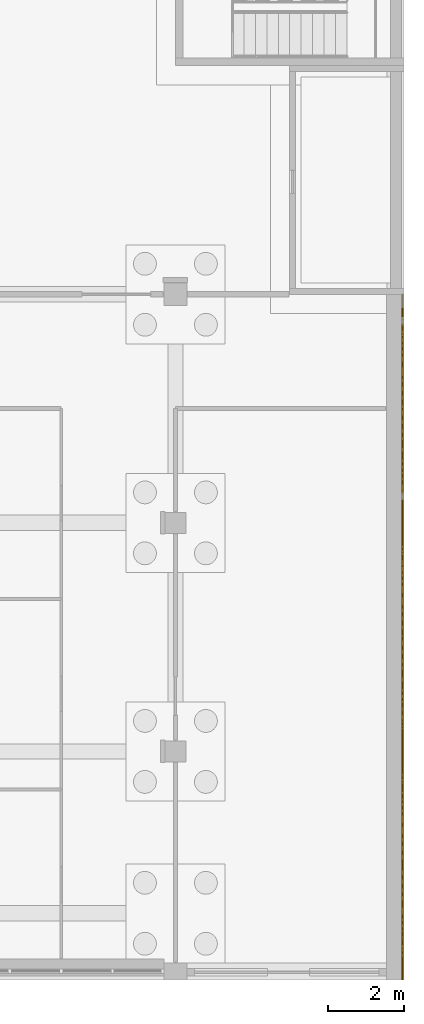
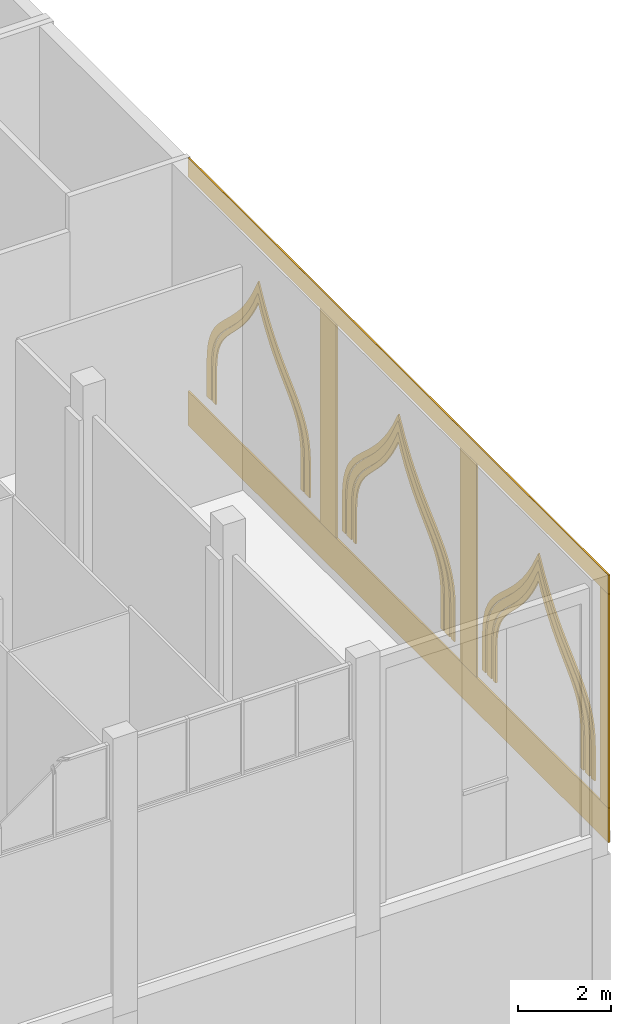
# One storey, part 72 of 95: 13 coverings.
"""IFC4 building model written with IfcOpenShell, lengths in metres."""

from ifc_helpers import new_model, si_unit, direction, frame, origin, origin_2d, place, context, subcontext, project, spatial, polyline, rectangle, outline, extrude, material, layer, layer_set, type_object, element, save


model = new_model("IFC4")

# Units and contexts
model_context = context("Model", 3, precision=1e-05, world=origin(), true_north=direction((0.0, 1.0)))
body_context = subcontext(model_context, "Body", "Model", "MODEL_VIEW")
ifc_project = project(units=[si_unit("LENGTHUNIT", "METRE"), si_unit("AREAUNIT", "SQUARE_METRE"), si_unit("VOLUMEUNIT", "CUBIC_METRE"), si_unit("PLANEANGLEUNIT", "RADIAN"), si_unit("MASSUNIT", "GRAM", prefix="KILO")], contexts=[model_context])

# Site, building, storey
site_placement = place(None, origin())
site = spatial("IfcSite", under=ifc_project, at=site_placement, CompositionType="ELEMENT")
building_placement = place(site_placement, origin())
building = spatial("IfcBuilding", under=site, at=building_placement, Name="Saffron Lane Theatres", CompositionType="ELEMENT")
storey_placement = place(building_placement, origin())
storey = spatial("IfcBuildingStorey", under=building, at=storey_placement, Name="L00", CompositionType="ELEMENT", Elevation=0.0)

# Coverings
ifc_material_1 = material(Name="Face brick cladding, pale buff", Category="masonry")
ifc_layer_1 = layer(ifc_material_1, 0.0400390625)
ifc_layer_set_1 = layer_set([ifc_layer_1], Name="Face brick cladding, pale buff")
covering_type_1 = type_object("IfcCoveringType", Name="EX-FACE BRICK SKIN PALE BUFF 40", PredefinedType="CLADDING", material=ifc_layer_set_1)
covering_1_placement = place(storey_placement, frame((65.9599609375, 9.0, 0.0), z_axis=(0.0, 0.0, 1.0), x_axis=(0.0, 1.0, 0.0)))
element("IfcCovering", 1, at=covering_1_placement, inside=storey, type_object=covering_type_1, Name="Face brick cladding, pale buff L00", PredefinedType="CLADDING", context=body_context, shape_type="SweptSolid", body=[
    extrude(rectangle(XDim=18.0, YDim=0.0400390625, at=origin_2d()), origin(), (0.0, 0.0, 1.0), 0.89990234375),
])
covering_2_placement = place(storey_placement, frame((65.9599609375, 9.0, 6.5), z_axis=(0.0, 0.0, 1.0), x_axis=(0.0, 1.0, 0.0)))
element("IfcCovering", 2, at=covering_2_placement, inside=storey, type_object=covering_type_1, Name="Face brick cladding, pale buff L00", PredefinedType="CLADDING", context=body_context, shape_type="SweptSolid", body=[
    extrude(rectangle(XDim=18.0, YDim=0.0400390625, at=origin_2d()), origin(), (0.0, 0.0, 1.0), 0.5),
])
covering_3_placement = place(storey_placement, frame((65.9599609375, 0.175048828125, 0.89990234375), z_axis=(0.0, 0.0, 1.0), x_axis=(0.0, 1.0, 0.0)))
element("IfcCovering", 3, at=covering_3_placement, inside=storey, type_object=covering_type_1, Name="Face brick cladding, pale buff L00", PredefinedType="CLADDING", context=body_context, shape_type="SweptSolid", body=[
    extrude(rectangle(XDim=0.35009765625, YDim=0.0400390625, at=origin_2d()), origin(), (0.0, 0.0, 1.0), 5.60009765625),
])
for number, where, z_axis, x_axis, name in (
    (4, (65.9599609375, 6.0, 0.89990234375), (0.0, 0.0, 1.0), (0.0, 1.0, 0.0), "Face brick cladding, pale buff L00"),
    (5, (65.9599609375, 12.0, 0.89990234375), (0.0, 0.0, 1.0), (0.0, 1.0, 0.0), "Face brick cladding, pale buff L00"),
):
    element("IfcCovering", number, at=place(storey_placement, frame(where, z_axis=z_axis, x_axis=x_axis)), inside=storey, type_object=covering_type_1, Name=name, PredefinedType="CLADDING", context=body_context, shape_type="SweptSolid", body=[
        extrude(rectangle(XDim=0.699951171875, YDim=0.0400390625, at=origin_2d()), origin(), (0.0, 0.0, 1.0), 5.60009765625),
    ])
ifc_material_2 = material(Name="Face brick cladding, pale buff", Category="masonry")
ifc_layer_2 = layer(ifc_material_2, 0.0400390625)
ifc_layer_set_2 = layer_set([ifc_layer_2], Name="Face brick cladding, pale buff")
covering_type_2 = type_object("IfcCoveringType", Name="EX-NICHE FRAME RING FACE BRICK PALE BUFF", PredefinedType="CLADDING", material=ifc_layer_set_2)
covering_4_placement = place(storey_placement, frame((65.93994140625, 1.06005859375, 2.15087890625), z_axis=(-1.0, 0.0, 0.0), x_axis=(0.0, 0.049137358924, 0.998792030384)))
element("IfcCovering", 6, at=covering_4_placement, inside=storey, type_object=covering_type_2, Name="Court wall niche ring", PredefinedType="CLADDING", context=body_context, shape_type="SweptSolid", body=[
    extrude(outline(polyline([(0.0, 0.0), (0.2434581525511307, 1.734723475976807e-18), (0.4610250809328312, 0.025228482865775993), (0.6554949729909108, 0.07285918867513211), (0.831185072962029, 0.14121310750547486), (0.9913772601130814, 0.227439986583571), (1.1415840143824045, 0.32931314243814785), (1.285586902883498, 0.4442021751554779), (1.4289223984057362, 0.5703680926853739), (1.57562791019868, 0.7054123443991328), (1.7306682446519874, 0.8459130111238047), (1.900199526656824, 0.992789410774137), (2.088650885479687, 1.141668234186046), (2.2994481574936954, 1.292625377112813), (2.53905521262832, 1.4428984789600046), (2.8117892951202217, 1.5908085298050278), (3.2277655948053288, 1.7834919337608668), (2.832711061224793, 2.0160754489918227), (2.575812260417544, 2.190041736063411), (2.3521124655206838, 2.363108046396087), (2.1571504751913277, 2.5340272413859313), (1.9842224909896318, 2.700684767416518), (1.8299266693935141, 2.8634924201556524), (1.6894260026688424, 3.01853275460896), (1.5566843301796374, 3.1673249099671215), (1.4264249384727563, 3.3069508169289725), (1.2943944826393017, 3.4354198033334438), (1.154912532783675, 3.5515447127042084), (1.0039575932820033, 3.6530790307441348), (0.8358252413876509, 3.738347909555811), (0.6470176621743866, 3.805812379122698), (0.43292969719310215, 3.851299152314359), (0.19064719434280172, 3.875196031947562), (-0.7091434775604517, 3.9194628421114768), (-0.7150337224901218, 3.7997345982349193), (0.18183080088661707, 3.7556117451772284), (0.4141156296046592, 3.732206718990291), (0.6141445183530868, 3.689122658452513), (0.788377419861202, 3.628486113605838), (0.9426666311820339, 3.5500091702378174), (1.0822528764921697, 3.4558783605179877), (1.213987828537848, 3.3462454759529123), (1.3401620701181043, 3.2229533143972655), (1.4676512668302135, 3.0866413587786963), (1.6004409250214928, 2.938824586262706), (1.7427963860263584, 2.781737514720906), (1.89894700190267, 2.6168831248932793), (2.075816423949777, 2.4458762825496456), (2.2764387685238634, 2.2707676419786673), (2.505982781248404, 2.0922806610866234), (2.7685419363003834, 1.914124928433901), (2.970020678761497, 1.7961721555341075), (2.7579370961418737, 1.698565320313989), (2.4791587737886442, 1.5470416523127277), (2.2332516366566293, 1.392923084024274), (2.0163621390792184, 1.2373769410990973), (1.8235614639433089, 1.0845566798417767), (1.6519834448499797, 0.9358254859112508), (1.49489637330818, 0.7934700249063853), (1.3482388472173108, 0.659401156034798), (1.20798545375333, 0.5362612756357352), (1.0703186365261823, 0.4259492464912962), (0.9284587013427412, 0.3297763513581751), (0.7803070082122705, 0.24980132375038333), (0.6190598700906065, 0.1868477550035296), (0.4397164913115353, 0.14360602715893486), (0.2364245748220277, 0.12036405442904742), (0.0029640964031553557, 0.11987220098278169), (-0.8939004269735834, 0.16399505404047265), (-0.8997906719032535, 0.04426681016391508), (0.0, 0.0)])), origin(), (0.0, 0.0, -1.0), 0.0400390625),
])
covering_5_placement = place(storey_placement, frame((65.93994140625, 0.800048828125, 2.153076171875), z_axis=(-1.0, 0.0, 0.0), x_axis=(0.0, 0.052850824381, 0.998602418564)))
element("IfcCovering", 7, at=covering_5_placement, inside=storey, type_object=covering_type_2, Name="Court wall niche ring", PredefinedType="CLADDING", context=body_context, shape_type="SweptSolid", body=[
    extrude(outline(polyline([(0.0, 0.0), (0.2633074467244505, 0.0), (0.5011775819661587, 0.027505871452212175), (0.7152524864888075, 0.08120829603058993), (0.9086112315010562, 0.15923293837212052), (1.0849739652342758, 0.25796015808373945), (1.24951072939811, 0.37344909715401087), (1.4064937862275997, 0.5032733062162519), (1.5611318865322767, 0.6442233255148111), (1.7204048922183166, 0.7942183711539379), (1.8878923763648647, 0.9516021011226223), (2.0695861001704214, 1.1141015442397035), (2.2717345272853784, 1.2796746257093192), (2.4978785216889916, 1.4459336052646752), (2.752894071753157, 1.6126204222398495), (3.0451722237624352, 1.7766016768649358), (3.545308055566688, 2.0153953976478385), (3.073236321181458, 2.3068654123085715), (2.7998353068843773, 2.499562707087641), (2.5638388278986666, 2.692236233121165), (2.35650745604077, 2.8814368058769912), (2.1729652029387934, 3.067422486021041), (2.009438950014148, 3.2481926242854025), (1.8594995911502994, 3.4223761036056124), (1.7169489166160081, 3.5883451044653136), (1.5780525169325759, 3.74483037585238), (1.4356498877276818, 3.8904995098022344), (1.2842226053926875, 4.022710780024254), (1.1192661530932222, 4.139502246350416), (0.9352233981207594, 4.237500784234314), (0.728012907311637, 4.313499650348356), (0.49437496699105044, 4.365959988195231), (0.2325384660623556, 4.393753121915035), (-0.669275583319717, 4.441481442077317), (-0.6798431675892249, 4.241809718248197), (0.21587589632797843, 4.194403973918317), (0.4619170471811973, 4.168424735037138), (0.6716252935936389, 4.121142588184094), (0.8534188461304864, 4.0545568244130665), (1.014149894578986, 3.968793757628952), (1.1607222408595677, 3.8649548994110297), (1.297666207873195, 3.7454897887645124), (1.4317178581074486, 3.608330544826945), (1.5667277283406915, 3.456940613377808), (1.7073925226927051, 3.292293833877449), (1.8601542503133226, 3.116005122808928), (2.0275541296548605, 2.929895845188042), (2.2176001906450886, 2.737453894646832), (2.432615658384322, 2.5410011380715813), (2.6794527226598053, 2.340663889367188), (2.9621799136019056, 2.1394050924426464), (3.127923450932433, 2.0374853906507657), (2.9523478022302756, 1.9536299354734281), (2.6499563885449153, 1.7833384184595322), (2.3833518772598032, 1.6101749578767302), (2.1488012171102713, 1.4375153946994919), (1.9395038304422583, 1.2662086126972976), (1.7533945528213721, 1.09880873335576), (1.5829298635185025, 0.9406046421122496), (1.4256201562145168, 0.7907501716253487), (1.275384706691873, 0.6544567891326514), (1.1276558411637512, 0.5331886493597573), (0.9788152774511176, 0.42787069606189243), (0.8221011469997994, 0.3400832112643215), (0.6532153815081632, 0.2717650454965378), (0.4654090154553319, 0.22474028020240072), (0.25188147118724413, 0.1998577991513908), (0.004472598804638406, 0.19999429966152327), (-0.8912464651125649, 0.2474000439914031), (-0.9018140493820727, 0.047728320162282394), (0.0, 0.0)])), origin(), (0.0, 0.0, -1.0), 0.0400390625),
])
covering_6_placement = place(storey_placement, frame((65.93994140625, 0.60009765625, 2.152099609375), z_axis=(-1.0, 0.0, 0.0), x_axis=(0.0, 0.053339022878, 0.998576461088)))
element("IfcCovering", 8, at=covering_6_placement, inside=storey, type_object=covering_type_2, Name="Court wall niche ring", PredefinedType="CLADDING", context=body_context, shape_type="SweptSolid", body=[
    extrude(outline(polyline([(0.0, 0.0), (0.279206054433033, -1.734723475976807e-18), (0.5302189974084848, 0.030600087807743755), (0.7546412027165392, 0.08975876321599356), (0.957718918144801, 0.17499539960045762), (1.143645085821301, 0.28241870073845177), (1.3166126478740696, 0.4081373704072918), (1.483434788357691, 0.5515429932989544), (1.6489446730874813, 0.7069986549543668), (1.820160212532198, 0.8731515385991627), (1.9996980194744525, 1.048639434380536), (2.1966399198910627, 1.229554394709478), (2.4138853863131065, 1.4152525667547606), (2.6580522694594353, 1.6014686389885575), (2.935479189444375, 1.7878640336289293), (3.2496146869296125, 1.9703427280390193), (3.720787085433957, 2.204577498130685), (3.2772478428247567, 2.487671646600571), (2.9843385678225935, 2.7025756747424743), (2.728346225878845, 2.9174636919552195), (2.5054576541051206, 3.1296055145986967), (2.3091779657185065, 3.336414203479002), (2.132628865552507, 3.537279208497558), (1.972806703296986, 3.73089403783503), (1.8202650307484223, 3.91434043280346), (1.6723091017899112, 4.087517844767732), (1.52166056150505, 4.2469032288758095), (1.3630695329622904, 4.390332120984516), (1.189696787662284, 4.517925350239234), (0.9968024501369451, 4.623334903447199), (0.7799591782553628, 4.706063801367329), (0.5336342353375227, 4.763229222834873), (0.25601689203512473, 4.792971978755942), (-0.6447985434431664, 4.8410890904583725), (-0.6522602768681983, 4.701395654861875), (0.24441067622764878, 4.653499920939942), (0.5103780405162042, 4.625357404018502), (0.7388185620849336, 4.572081143983088), (0.9381774723673122, 4.4961539022485475), (1.1141401455679993, 4.398738926188011), (1.274163618572807, 4.282127273024531), (1.4241379920005675, 4.146737788664895), (1.5679899995971691, 3.992849703713629), (1.7132417893603356, 3.8239730408003876), (1.8648603784731472, 3.6415539070467675), (2.026567774267319, 3.4466159345236367), (2.2048718857481466, 3.2419898555062194), (2.4069729344977393, 3.029735956358632), (2.635747977746354, 2.8133678888544744), (2.8973178869717606, 2.59304768359683), (3.197946778097935, 2.371619095083306), (3.4372557318585164, 2.2197223427612474), (3.1831274890269294, 2.0941825685408717), (2.8606212642985676, 1.9060387804363907), (2.577069843691915, 1.7148362644254675), (2.3265476890649355, 1.5240698861248223), (2.102986017829387, 1.3345527872566518), (1.903898439426481, 1.1500851084869645), (1.7223451767217532, 0.9734824250780479), (1.5521568984918466, 0.808252624869004), (1.3897418196288687, 0.6558100066021677), (1.2303152340630905, 0.5181215662944257), (1.0667717049130208, 0.3994786599183697), (0.8952365873223002, 0.3005772291947563), (0.7098979140063897, 0.22246118670472007), (0.5035851369718871, 0.16820292301425147), (0.2707691486827202, 0.13956470772606377), (0.003317251042587765, 0.13991481337699654), (-0.8933537020532594, 0.18781054729892882), (-0.9008154354782912, 0.04811711170243062), (0.0, 0.0)])), origin(), (0.0, 0.0, -1.0), 0.0400390625),
])
covering_7_placement = place(storey_placement, frame((65.93994140625, 7.06005859375, 2.15087890625), z_axis=(-1.0, 0.0, 0.0), x_axis=(0.0, 0.049137358924, 0.998792030384)))
element("IfcCovering", 9, at=covering_7_placement, inside=storey, type_object=covering_type_2, Name="Court wall niche ring", PredefinedType="CLADDING", context=body_context, shape_type="SweptSolid", body=[
    extrude(outline(polyline([(0.0, 0.0), (0.2434581525511307, 1.734723475976807e-18), (0.4609770952307565, 0.02425310002360444), (0.6554949729909108, 0.07285918867513211), (0.8311370872599544, 0.1402377246633033), (0.9913772601130814, 0.227439986583571), (1.1415840143824045, 0.32931314243814785), (1.285586902883498, 0.4442021751554779), (1.4289223984057362, 0.5703680926853739), (1.57562791019868, 0.7054123443991328), (1.7306682446519874, 0.8459130111238047), (1.900199526656824, 0.992789410774137), (2.088650885479687, 1.141668234186046), (2.2994481574936954, 1.292625377112813), (2.53905521262832, 1.4428984789600046), (2.8117892951202217, 1.5908085298050278), (3.2277655948053288, 1.7834919337608668), (2.832711061224793, 2.0160754489918227), (2.575812260417544, 2.190041736063411), (2.3521124655206838, 2.363108046396087), (2.1571504751913277, 2.5340272413859313), (1.9842224909896318, 2.700684767416518), (1.8299266693935141, 2.8634924201556524), (1.6894260026688424, 3.01853275460896), (1.5566843301796374, 3.1673249099671215), (1.4264249384727563, 3.3069508169289725), (1.2943944826393017, 3.4354198033334438), (1.154912532783675, 3.5515447127042084), (1.0039575932820033, 3.6530790307441348), (0.8358252413876509, 3.738347909555811), (0.6470176621743866, 3.805812379122698), (0.43292969719310215, 3.851299152314359), (0.19064719434280172, 3.875196031947562), (-0.7091434775604517, 3.9194628421114768), (-0.7150337224901218, 3.7997345982349193), (0.18183080088661707, 3.7556117451772284), (0.4141156296046592, 3.732206718990291), (0.6141445183530868, 3.689122658452513), (0.788377419861202, 3.628486113605838), (0.9426666311820339, 3.5500091702378174), (1.0822528764921697, 3.4558783605179877), (1.213987828537848, 3.3462454759529123), (1.3401620701181043, 3.2229533143972655), (1.4676512668302135, 3.0866413587786963), (1.6004409250214928, 2.938824586262706), (1.7427963860263584, 2.781737514720906), (1.89894700190267, 2.6168831248932793), (2.075816423949777, 2.4458762825496456), (2.276390782821789, 2.269792259136496), (2.505982781248404, 2.0922806610866234), (2.7685419363003834, 1.914124928433901), (2.970020678761497, 1.7961721555341075), (2.7579370961418737, 1.698565320313989), (2.4791587737886442, 1.5470416523127277), (2.2332036509545543, 1.3919477011821022), (2.0163621390792184, 1.2373769410990973), (1.8235614639433089, 1.0845566798417767), (1.6519834448499797, 0.9358254859112508), (1.49489637330818, 0.7934700249063853), (1.3482388472173108, 0.659401156034798), (1.20798545375333, 0.5362612756357352), (1.0703186365261823, 0.4259492464912962), (0.9284587013427412, 0.3297763513581751), (0.7803070082122705, 0.24980132375038333), (0.6190598700906065, 0.1868477550035296), (0.4397164913115353, 0.14360602715893486), (0.2364245748220277, 0.12036405442904742), (0.0029640964031553557, 0.11987220098278169), (-0.8939004269735834, 0.16399505404047265), (-0.8997906719032535, 0.04426681016391508), (0.0, 0.0)])), origin(), (0.0, 0.0, -1.0), 0.0400390625),
])
covering_8_placement = place(storey_placement, frame((65.93994140625, 6.800048828125, 2.153076171875), z_axis=(-1.0, 0.0, 0.0), x_axis=(0.0, 0.052850824381, 0.998602418564)))
element("IfcCovering", 10, at=covering_8_placement, inside=storey, type_object=covering_type_2, Name="Court wall niche ring", PredefinedType="CLADDING", context=body_context, shape_type="SweptSolid", body=[
    extrude(outline(polyline([(0.0, 0.0), (0.2633074467244505, 0.0), (0.5011775819661587, 0.027505871452212175), (0.7152524864888075, 0.08120829603058993), (0.9086112315010562, 0.15923293837212052), (1.0849739652342758, 0.25796015808373945), (1.24951072939811, 0.37344909715401087), (1.4064937862275997, 0.5032733062162519), (1.5611318865322767, 0.6442233255148111), (1.7204048922183166, 0.7942183711539379), (1.8878923763648647, 0.9516021011226223), (2.0695861001704214, 1.1141015442397035), (2.2717345272853784, 1.2796746257093192), (2.4978785216889916, 1.4459336052646752), (2.752894071753157, 1.6126204222398495), (3.0451722237624352, 1.7766016768649358), (3.545308055566688, 2.0153953976478385), (3.0731718060149773, 2.3056464152155973), (2.7998353068843773, 2.499562707087641), (2.5638388278986666, 2.692236233121165), (2.35650745604077, 2.8814368058769912), (2.1729652029387934, 3.067422486021041), (2.009438950014148, 3.2481926242854025), (1.8594995911502994, 3.4223761036056124), (1.7169489166160081, 3.5883451044653136), (1.5780525169325759, 3.74483037585238), (1.4356498877276818, 3.8904995098022344), (1.2842226053926875, 4.022710780024254), (1.1192661530932222, 4.139502246350416), (0.9352233981207594, 4.237500784234314), (0.728012907311637, 4.313499650348356), (0.49437496699105044, 4.365959988195231), (0.2325384660623556, 4.393753121915035), (-0.669275583319717, 4.441481442077317), (-0.6798431675892249, 4.241809718248197), (0.21587589632797843, 4.194403973918317), (0.4619170471811973, 4.168424735037138), (0.6716252935936389, 4.121142588184094), (0.8534188461304864, 4.0545568244130665), (1.014149894578986, 3.968793757628952), (1.1607222408595677, 3.8649548994110297), (1.2976145957400105, 3.7445145910901334), (1.4317178581074486, 3.608330544826945), (1.5667277283406915, 3.456940613377808), (1.7073925226927051, 3.292293833877449), (1.8601542503133226, 3.116005122808928), (2.0275541296548605, 2.929895845188042), (2.2176001906450886, 2.737453894646832), (2.432615658384322, 2.5410011380715813), (2.6794527226598053, 2.340663889367188), (2.9621799136019056, 2.1394050924426464), (3.127923450932433, 2.0374853906507657), (2.9523478022302756, 1.9536299354734281), (2.6499563885449153, 1.7833384184595322), (2.3833518772598032, 1.6101749578767302), (2.1488012171102713, 1.4375153946994919), (1.9395038304422583, 1.2662086126972976), (1.7533945528213721, 1.09880873335576), (1.5828782513853181, 0.9396294444378706), (1.4256201562145168, 0.7907501716253487), (1.275384706691873, 0.6544567891326514), (1.1276042290305668, 0.5322134516853781), (0.9788152774511176, 0.42787069606189243), (0.8221011469997994, 0.3400832112643215), (0.6532153815081632, 0.2717650454965378), (0.4654090154553319, 0.22474028020240072), (0.25188147118724413, 0.1998577991513908), (0.004472598804638406, 0.19999429966152327), (-0.8912464651125649, 0.2474000439914031), (-0.9018140493820727, 0.047728320162282394), (0.0, 0.0)])), origin(), (0.0, 0.0, -1.0), 0.0400390625),
])
covering_9_placement = place(storey_placement, frame((65.93994140625, 6.60009765625, 2.152099609375), z_axis=(-1.0, 0.0, 0.0), x_axis=(0.0, 0.053339022878, 0.998576461088)))
element("IfcCovering", 11, at=covering_9_placement, inside=storey, type_object=covering_type_2, Name="Court wall niche ring", PredefinedType="CLADDING", context=body_context, shape_type="SweptSolid", body=[
    extrude(outline(polyline([(0.0, 0.0), (0.279206054433033, -1.734723475976807e-18), (0.5302189974084848, 0.030600087807743755), (0.7546412027165392, 0.08975876321599356), (0.957666829255272, 0.1740202272751767), (1.143645085821301, 0.28241870073845177), (1.3166126478740696, 0.4081373704072918), (1.483382699468162, 0.5505678209736734), (1.6489446730874813, 0.7069986549543668), (1.820160212532198, 0.8731515385991627), (1.9996980194744525, 1.048639434380536), (2.1966399198910627, 1.229554394709478), (2.4138853863131065, 1.4152525667547606), (2.6580522694594353, 1.6014686389885575), (2.935479189444375, 1.7878640336289293), (3.2496146869296125, 1.9703427280390193), (3.720787085433957, 2.204577498130685), (3.2772478428247567, 2.487671646600571), (2.9843385678225935, 2.7025756747424743), (2.728346225878845, 2.9174636919552195), (2.5054055652155913, 3.1286303422734156), (2.3091779657185065, 3.336414203479002), (2.132628865552507, 3.537279208497558), (1.972806703296986, 3.73089403783503), (1.8202650307484223, 3.91434043280346), (1.6723091017899112, 4.087517844767732), (1.52166056150505, 4.2469032288758095), (1.3630695329622904, 4.390332120984516), (1.189696787662284, 4.517925350239234), (0.9968024501369451, 4.623334903447199), (0.7799591782553628, 4.706063801367329), (0.5336342353375227, 4.763229222834873), (0.25601689203512473, 4.792971978755942), (-0.6447985434431664, 4.8410890904583725), (-0.6522602768681983, 4.701395654861875), (0.24441067622764878, 4.653499920939942), (0.5103780405162042, 4.625357404018502), (0.7388185620849336, 4.572081143983088), (0.9381774723673122, 4.4961539022485475), (1.1141401455679993, 4.398738926188011), (1.274163618572807, 4.282127273024531), (1.4241379920005675, 4.146737788664895), (1.5679899995971691, 3.992849703713629), (1.7132417893603356, 3.8239730408003876), (1.8648603784731472, 3.6415539070467675), (2.026567774267319, 3.4466159345236367), (2.2048718857481466, 3.2419898555062194), (2.4069729344977393, 3.029735956358632), (2.635747977746354, 2.8133678888544744), (2.8973178869717606, 2.59304768359683), (3.197946778097935, 2.371619095083306), (3.4372557318585164, 2.2197223427612474), (3.1831274890269294, 2.0941825685408717), (2.8606212642985676, 1.9060387804363907), (2.577069843691915, 1.7148362644254675), (2.3265476890649355, 1.5240698861248223), (2.102986017829387, 1.3345527872566518), (1.903898439426481, 1.1500851084869645), (1.7223451767217532, 0.9734824250780479), (1.5521568984918466, 0.808252624869004), (1.3897418196288687, 0.6558100066021677), (1.2303152340630905, 0.5181215662944257), (1.0667717049130208, 0.3994786599183697), (0.8952365873223002, 0.3005772291947563), (0.7098979140063897, 0.22246118670472007), (0.5035851369718871, 0.16820292301425147), (0.2707691486827202, 0.13956470772606377), (0.003317251042587765, 0.13991481337699654), (-0.8933537020532594, 0.18781054729892882), (-0.9008154354782912, 0.04811711170243062), (0.0, 0.0)])), origin(), (0.0, 0.0, -1.0), 0.0400390625),
])
covering_10_placement = place(storey_placement, frame((65.93994140625, 13.06005859375, 2.15087890625), z_axis=(-1.0, 0.0, 0.0), x_axis=(0.0, 0.049137358924, 0.998792030384)))
element("IfcCovering", 12, at=covering_10_placement, inside=storey, type_object=covering_type_2, Name="Court wall niche ring", PredefinedType="CLADDING", context=body_context, shape_type="SweptSolid", body=[
    extrude(outline(polyline([(0.0, 0.0), (0.2434581525511307, 1.734723475976807e-18), (0.4609770952307565, 0.02425310002360444), (0.6554949729909108, 0.07285918867513211), (0.831185072962029, 0.14121310750547486), (0.9913772601130814, 0.227439986583571), (1.1415840143824045, 0.32931314243814785), (1.285586902883498, 0.4442021751554779), (1.4289223984057362, 0.5703680926853739), (1.57562791019868, 0.7054123443991328), (1.7306682446519874, 0.8459130111238047), (1.900199526656824, 0.992789410774137), (2.088650885479687, 1.141668234186046), (2.2994481574936954, 1.292625377112813), (2.53905521262832, 1.4428984789600046), (2.8117892951202217, 1.5908085298050278), (3.2277655948053288, 1.7834919337608668), (2.832711061224793, 2.0160754489918227), (2.575812260417544, 2.190041736063411), (2.3521124655206838, 2.363108046396087), (2.1571504751913277, 2.5340272413859313), (1.9842224909896318, 2.700684767416518), (1.8299266693935141, 2.8634924201556524), (1.6894260026688424, 3.01853275460896), (1.5566843301796374, 3.1673249099671215), (1.4264249384727563, 3.3069508169289725), (1.2943944826393017, 3.4354198033334438), (1.154912532783675, 3.5515447127042084), (1.0039575932820033, 3.6530790307441348), (0.8358252413876509, 3.738347909555811), (0.6469696764723118, 3.8048369962805264), (0.43292969719310215, 3.851299152314359), (0.19064719434280172, 3.875196031947562), (-0.7091434775604517, 3.9194628421114768), (-0.7150337224901218, 3.7997345982349193), (0.18183080088661707, 3.7556117451772284), (0.4141156296046592, 3.732206718990291), (0.6141445183530868, 3.689122658452513), (0.788377419861202, 3.628486113605838), (0.9426666311820339, 3.5500091702378174), (1.0822528764921697, 3.4558783605179877), (1.213987828537848, 3.3462454759529123), (1.3401620701181043, 3.2229533143972655), (1.4676512668302135, 3.0866413587786963), (1.6004409250214928, 2.938824586262706), (1.7427963860263584, 2.781737514720906), (1.89894700190267, 2.6168831248932793), (2.075816423949777, 2.4458762825496456), (2.276390782821789, 2.269792259136496), (2.505982781248404, 2.0922806610866234), (2.7685419363003834, 1.914124928433901), (2.970020678761497, 1.7961721555341075), (2.7579370961418737, 1.698565320313989), (2.4791587737886442, 1.5470416523127277), (2.2332036509545543, 1.3919477011821022), (2.0163621390792184, 1.2373769410990973), (1.8235614639433089, 1.0845566798417767), (1.6519834448499797, 0.9358254859112508), (1.49489637330818, 0.7934700249063853), (1.3482388472173108, 0.659401156034798), (1.20798545375333, 0.5362612756357352), (1.0703186365261823, 0.4259492464912962), (0.9284587013427412, 0.3297763513581751), (0.7803070082122705, 0.24980132375038333), (0.6190598700906065, 0.1868477550035296), (0.4397164913115353, 0.14360602715893486), (0.2364245748220277, 0.12036405442904742), (0.0029640964031553557, 0.11987220098278169), (-0.8939004269735834, 0.16399505404047265), (-0.8997906719032535, 0.04426681016391508), (0.0, 0.0)])), origin(), (0.0, 0.0, -1.0), 0.0400390625),
])
covering_11_placement = place(storey_placement, frame((65.93994140625, 12.800048828125, 2.153076171875), z_axis=(-1.0, 0.0, 0.0), x_axis=(0.0, 0.052850824381, 0.998602418564)))
element("IfcCovering", 13, at=covering_11_placement, inside=storey, type_object=covering_type_2, Name="Court wall niche ring", PredefinedType="CLADDING", context=body_context, shape_type="SweptSolid", body=[
    extrude(outline(polyline([(0.0, 0.0), (0.2633074467244505, 0.0), (0.5011775819661587, 0.027505871452212175), (0.7152524864888075, 0.08120829603058993), (0.9086112315010562, 0.15923293837212052), (1.0849739652342758, 0.25796015808373945), (1.24951072939811, 0.37344909715401087), (1.4064937862275997, 0.5032733062162519), (1.5611318865322767, 0.6442233255148111), (1.7204048922183166, 0.7942183711539379), (1.8878923763648647, 0.9516021011226223), (2.0695861001704214, 1.1141015442397035), (2.2717345272853784, 1.2796746257093192), (2.4978785216889916, 1.4459336052646752), (2.752894071753157, 1.6126204222398495), (3.0451722237624352, 1.7766016768649358), (3.545308055566688, 2.0153953976478385), (3.0731718060149773, 2.3056464152155973), (2.7998353068843773, 2.499562707087641), (2.5638388278986666, 2.692236233121165), (2.35650745604077, 2.8814368058769912), (2.1729652029387934, 3.067422486021041), (2.009438950014148, 3.2481926242854025), (1.8594995911502994, 3.4223761036056124), (1.7169489166160081, 3.5883451044653136), (1.5780525169325759, 3.74483037585238), (1.4356498877276818, 3.8904995098022344), (1.2842226053926875, 4.022710780024254), (1.1192661530932222, 4.139502246350416), (0.9352233981207594, 4.237500784234314), (0.728012907311637, 4.313499650348356), (0.49437496699105044, 4.365959988195231), (0.2325384660623556, 4.393753121915035), (-0.669275583319717, 4.441481442077317), (-0.6798431675892249, 4.241809718248197), (0.21587589632797843, 4.194403973918317), (0.4619170471811973, 4.168424735037138), (0.6716252935936389, 4.121142588184094), (0.8534188461304864, 4.0545568244130665), (1.014149894578986, 3.968793757628952), (1.1607222408595677, 3.8649548994110297), (1.2976145957400105, 3.7445145910901334), (1.4317178581074486, 3.608330544826945), (1.5667277283406915, 3.456940613377808), (1.7073409105595208, 3.2913186362030697), (1.8601542503133226, 3.116005122808928), (2.0275541296548605, 2.929895845188042), (2.2176001906450886, 2.737453894646832), (2.432615658384322, 2.5410011380715813), (2.6794527226598053, 2.340663889367188), (2.9621799136019056, 2.1394050924426464), (3.127923450932433, 2.0374853906507657), (2.9523478022302756, 1.9536299354734281), (2.6499563885449153, 1.7833384184595322), (2.3833518772598032, 1.6101749578767302), (2.1488012171102713, 1.4375153946994919), (1.9395038304422583, 1.2662086126972976), (1.7533945528213721, 1.09880873335576), (1.5828782513853181, 0.9396294444378706), (1.4256201562145168, 0.7907501716253487), (1.275384706691873, 0.6544567891326514), (1.1276042290305668, 0.5322134516853781), (0.9788152774511176, 0.42787069606189243), (0.8221011469997994, 0.3400832112643215), (0.6532153815081632, 0.2717650454965378), (0.4654090154553319, 0.22474028020240072), (0.25188147118724413, 0.1998577991513908), (0.004472598804638406, 0.19999429966152327), (-0.8912464651125649, 0.2474000439914031), (-0.9018140493820727, 0.047728320162282394), (0.0, 0.0)])), origin(), (0.0, 0.0, -1.0), 0.0400390625),
])

save(model, "model.ifc")
